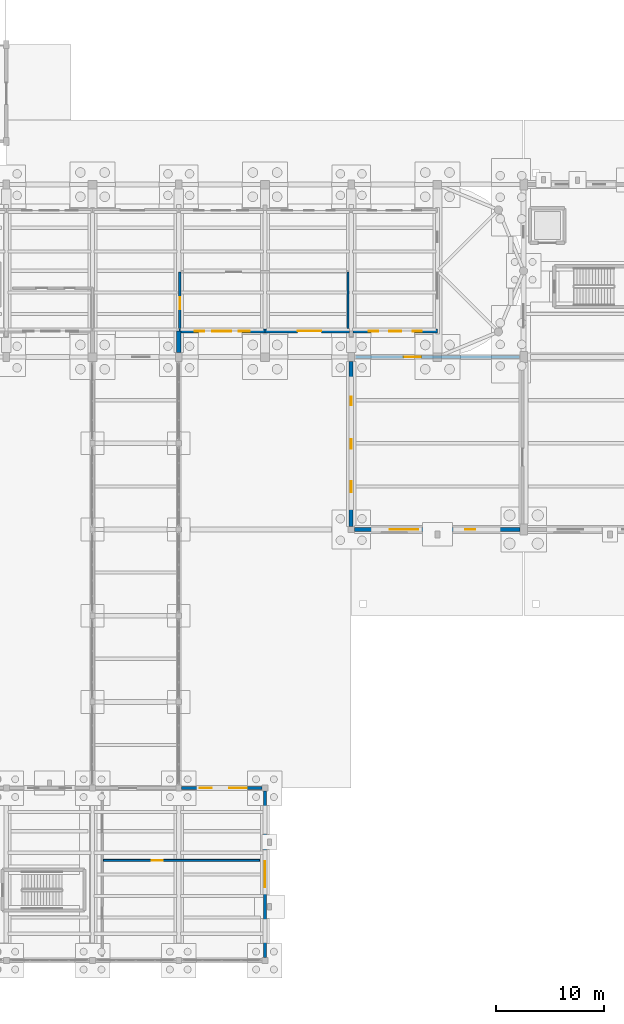
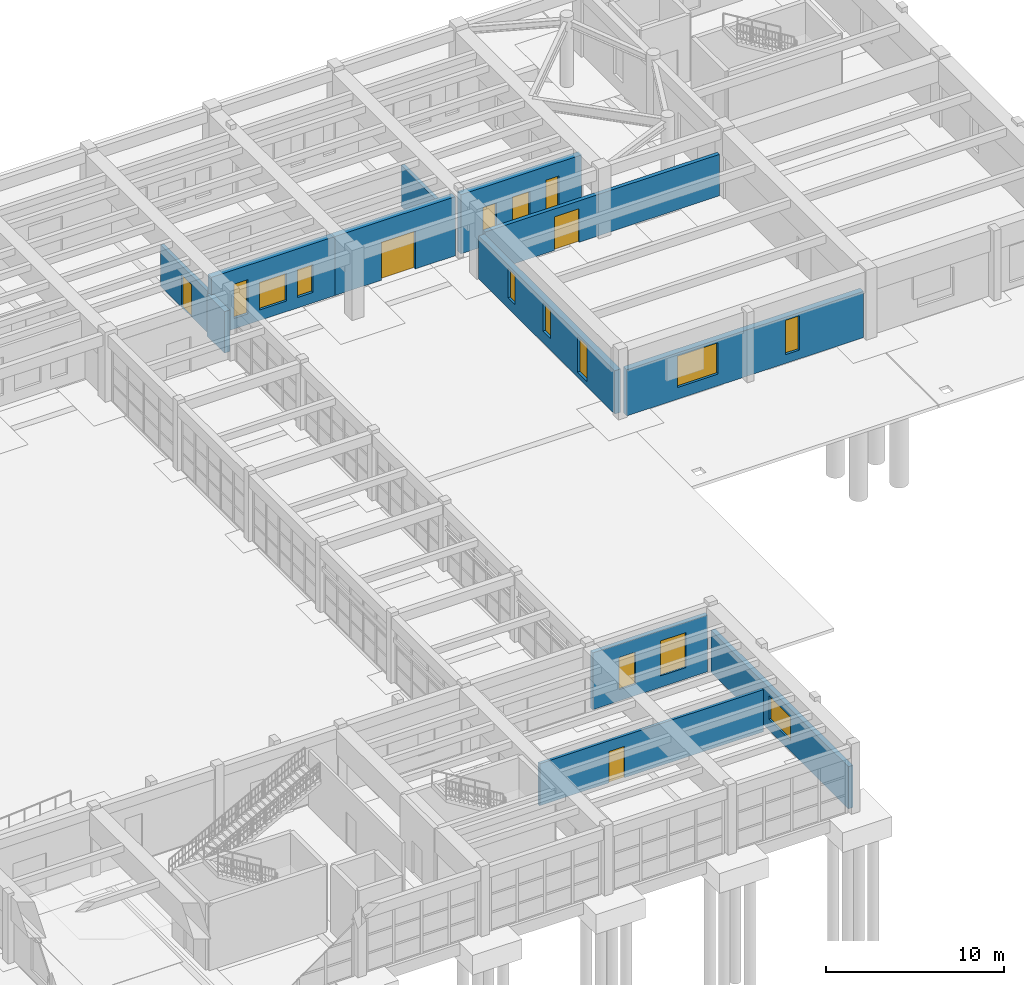
# One storey, part 52 of 68: 14 windows, 12 walls, 4 doors, 18 openings.
"""IFC4 building model written with IfcOpenShell, lengths in metres."""

from ifc_helpers import new_model, si_unit, direction, frame, frame_2d, origin, place, context, subcontext, project, spatial, rectangle, extrude, material, layer, layer_set, type_object, element, fill, save


model = new_model("IFC4")

# Units and contexts
model_context = context("Model", 3, precision=1e-05, world=origin(), true_north=direction((0.0, 1.0)))
body_context = subcontext(model_context, "Body", "Model", "MODEL_VIEW")
ifc_project = project(units=[si_unit("LENGTHUNIT", "METRE"), si_unit("AREAUNIT", "SQUARE_METRE"), si_unit("VOLUMEUNIT", "CUBIC_METRE"), si_unit("PLANEANGLEUNIT", "RADIAN"), si_unit("MASSUNIT", "GRAM", prefix="KILO")], contexts=[model_context])

# Site, building, storey
site_placement = place(None, origin())
site = spatial("IfcSite", under=ifc_project, at=site_placement, CompositionType="ELEMENT")
building_placement = place(site_placement, origin())
building = spatial("IfcBuilding", under=site, at=building_placement, Name="Serraluz Foothill Cableway Terminal", CompositionType="ELEMENT")
storey_placement = place(building_placement, origin())
storey = spatial("IfcBuildingStorey", under=building, at=storey_placement, Name="L00", CompositionType="ELEMENT", Elevation=0.0)

# Wall, openings, windows
ifc_material_1 = material(Name="Fired clay masonry brick (f'm 12 MPa)", Category="masonry")
ifc_layer_1 = layer(ifc_material_1, 0.280029296875, Name="Fired clay masonry brick (f'm 12 MPa)", Category="masonry")
ifc_layer_set_1 = layer_set([ifc_layer_1], Name="Fired clay masonry brick (f'm 12 MPa)")
wall_type_1 = type_object("IfcWallType", Name="TYP-WL-EXT-280", PredefinedType="STANDARD", material=ifc_layer_set_1)
wall_1_placement = place(storey_placement, frame((128.27490234375, 16.0, 0.0), z_axis=(0.0, 0.0, 1.0), x_axis=(1.0, 0.0, 0.0)))
wall_1 = element("IfcWall", 1, at=wall_1_placement, inside=storey, type_object=wall_type_1, Name="Exterior Masonry Wall EW-V3N-L00-128", PredefinedType="STANDARD", context=body_context, shape_type="SweptSolid", body=[
    extrude(rectangle(XDim=7.4501953125, YDim=0.280029296875, at=frame_2d((3.72509765625, 0.0))), origin(), (0.0, 0.0, 1.0), 3.889892578125),
])
opening_1_placement = place(wall_1_placement, frame((1.68505859375, 0.0, 0.780029296875)))
opening_1 = element("IfcOpeningElement", 2, at=opening_1_placement, cuts=wall_1, Name="Opening W-04", PredefinedType="OPENING", context=body_context, shape_type="SweptSolid", body=[
    extrude(rectangle(XDim=1.10009765625, YDim=2.199951171875, at=frame_2d((0.550048828125, 1.10009765625))), frame((0.0, 0.14990234375, 0.0), z_axis=(0.0, -1.0, 0.0), x_axis=(1.0, 0.0, 0.0)), (0.0, 0.0, 1.0), 0.300048828125),
])
opening_2_placement = place(wall_1_placement, frame((4.389892578125, 0.0, 0.780029296875)))
opening_2 = element("IfcOpeningElement", 3, at=opening_2_placement, cuts=wall_1, Name="Opening W-08", PredefinedType="OPENING", context=body_context, shape_type="SweptSolid", body=[
    extrude(rectangle(XDim=1.64990234375, YDim=2.39990234375, at=frame_2d((0.824951171875, 1.199951171875))), frame((0.0, 0.14990234375, 0.0), z_axis=(0.0, -1.0, 0.0), x_axis=(1.0, 0.0, 0.0)), (0.0, 0.0, 1.0), 0.300048828125),
])
ifc_material_2 = material(Name="Laminated low-E safety glass", Category="glass")
window_type_1 = type_object("IfcWindowType", Name="TYP-WN-110X220", PartitioningType="SINGLE_PANEL", PredefinedType="WINDOW", material=ifc_material_2)
window_1_placement = place(opening_1_placement, origin())
window_1 = element("IfcWindow", 4, at=window_1_placement, inside=storey, type_object=window_type_1, Name="Exterior Window EW-V3N-L00-128-WN1", OverallHeight=2.199951171875, OverallWidth=1.10009765625, PartitioningType="SINGLE_PANEL", PredefinedType="WINDOW", context=body_context, shape_type="SweptSolid", body=[
    extrude(rectangle(XDim=1.10009765625, YDim=2.199951171875, at=frame_2d((0.550048828125, 1.10009765625))), frame((0.0, 0.030029296875, 0.0), z_axis=(0.0, -1.0, 0.0), x_axis=(1.0, 0.0, 0.0)), (0.0, 0.0, 1.0), 0.06005859375),
])
fill(opening_1, window_1)
window_type_2 = type_object("IfcWindowType", Name="TYP-WN-165X240", PartitioningType="DOUBLE_PANEL_VERTICAL", PredefinedType="WINDOW", material=ifc_material_2)
window_2_placement = place(opening_2_placement, origin())
window_2 = element("IfcWindow", 5, at=window_2_placement, inside=storey, type_object=window_type_2, Name="Exterior Window EW-V3N-L00-128-WN2", OverallHeight=2.39990234375, OverallWidth=1.64990234375, PartitioningType="SINGLE_PANEL", PredefinedType="WINDOW", context=body_context, shape_type="SweptSolid", body=[
    extrude(rectangle(XDim=1.64990234375, YDim=2.39990234375, at=frame_2d((0.824951171875, 1.199951171875))), frame((0.0, 0.030029296875, 0.0), z_axis=(0.0, -1.0, 0.0), x_axis=(1.0, 0.0, 0.0)), (0.0, 0.0, 1.0), 0.06005859375),
])
fill(opening_2, window_2)

# Wall, opening, window
ifc_layer_2 = layer(ifc_material_1, 0.300048828125, Name="Fired clay masonry brick (f'm 12 MPa)", Category="masonry")
ifc_layer_set_2 = layer_set([ifc_layer_2], Name="Fired clay masonry brick (f'm 12 MPa)")
wall_type_2 = type_object("IfcWallType", Name="TYP-WL-EXT-300", PredefinedType="STANDARD", material=ifc_layer_set_2)
wall_2_placement = place(storey_placement, frame((136.0, 15.72509765625, 0.0), z_axis=(0.0, 0.0, 1.0), x_axis=(0.0, -1.0, 0.0)))
wall_2 = element("IfcWall", 6, at=wall_2_placement, inside=storey, type_object=wall_type_2, Name="Exterior Masonry Wall EW-V3E-L00", PredefinedType="STANDARD", context=body_context, shape_type="SweptSolid", body=[
    extrude(rectangle(XDim=15.4501953125, YDim=0.300048828125, at=frame_2d((7.72509765625, 0.0))), origin(), (0.0, 0.0, 1.0), 2.889892578125),
])
opening_3_placement = place(wall_2_placement, frame((6.52490234375, 0.0, 0.75)))
opening_3 = element("IfcOpeningElement", 7, at=opening_3_placement, cuts=wall_2, Name="Opening W-13", PredefinedType="OPENING", context=body_context, shape_type="SweptSolid", body=[
    extrude(rectangle(XDim=2.39990234375, YDim=1.60009765625, at=frame_2d((1.199951171875, 0.800048828125))), frame((0.0, 0.16015625, 0.0), z_axis=(0.0, -1.0, 0.0), x_axis=(1.0, 0.0, 0.0)), (0.0, 0.0, 1.0), 0.320068359375),
])
window_type_3 = type_object("IfcWindowType", Name="TYP-WN-240X160", PartitioningType="TRIPLE_PANEL_VERTICAL", PredefinedType="WINDOW", material=ifc_material_2)
window_3_placement = place(opening_3_placement, origin())
window_3 = element("IfcWindow", 8, at=window_3_placement, inside=storey, type_object=window_type_3, Name="Exterior Window EW-V3E-L00-WN2", OverallHeight=1.60009765625, OverallWidth=2.39990234375, PartitioningType="SINGLE_PANEL", PredefinedType="WINDOW", context=body_context, shape_type="SweptSolid", body=[
    extrude(rectangle(XDim=2.39990234375, YDim=1.60009765625, at=frame_2d((1.199951171875, 0.800048828125))), frame((0.0, 0.030029296875, 0.0), z_axis=(0.0, -1.0, 0.0), x_axis=(1.0, 0.0, 0.0)), (0.0, 0.0, 1.0), 0.06005859375),
])
fill(opening_3, window_3)

# Wall
ifc_material_3 = material(Name="Dark clinker clay masonry brick (f'm 14 MPa)", Category="masonry")
ifc_layer_3 = layer(ifc_material_3, 0.3798828125, Name="Dark clinker clay masonry brick (f'm 14 MPa)", Category="masonry")
ifc_layer_set_3 = layer_set([ifc_layer_3], Name="Dark clinker clay masonry brick (f'm 14 MPa)")
wall_type_3 = type_object("IfcWallType", Name="TYP-WL-EXT-380", PredefinedType="STANDARD", material=ifc_layer_set_3)
wall_3_placement = place(storey_placement, frame((128.0, 58.39990234375, 0.0), z_axis=(0.0, 0.0, 1.0), x_axis=(0.0, -1.0, 0.0)))
element("IfcWall", 9, at=wall_3_placement, inside=storey, type_object=wall_type_3, Name="Exterior Masonry Wall EW-V1S-CLE-L00", PredefinedType="STANDARD", context=body_context, shape_type="SweptSolid", body=[
    extrude(rectangle(XDim=1.974853515625, YDim=0.3798828125, at=frame_2d((0.9873046875, 0.0))), origin(), (0.0, 0.0, 1.0), 2.85009765625),
])

# Wall, openings, windows
wall_4_placement = place(storey_placement, frame((136.0, 58.39990234375, 0.0), z_axis=(0.0, 0.0, 1.0), x_axis=(-1.0, 0.0, 0.0)))
wall_4 = element("IfcWall", 10, at=wall_4_placement, inside=storey, type_object=wall_type_3, Name="Exterior Masonry Wall EW-V1S-L00-128", PredefinedType="STANDARD", context=body_context, shape_type="SweptSolid", body=[
    extrude(rectangle(XDim=8.0, YDim=0.3798828125, at=frame_2d((4.0, 0.0))), origin(), (0.0, 0.0, 1.0), 4.050048828125),
])
opening_4_placement = place(wall_4_placement, frame((1.419921875, 0.0, 0.719970703125)))
opening_4 = element("IfcOpeningElement", 11, at=opening_4_placement, cuts=wall_4, Name="Opening W-24", PredefinedType="OPENING", context=body_context, shape_type="SweptSolid", body=[
    extrude(rectangle(XDim=1.0, YDim=1.89990234375, at=frame_2d((0.5, 0.949951171875))), frame((0.0, 0.199951171875, 0.0), z_axis=(0.0, -1.0, 0.0), x_axis=(1.0, 0.0, 0.0)), (0.0, 0.0, 1.0), 0.39990234375),
])
opening_5_placement = place(wall_4_placement, frame((3.1201171875, 0.0, 0.719970703125)))
opening_5 = element("IfcOpeningElement", 12, at=opening_5_placement, cuts=wall_4, Name="Opening W-32", PredefinedType="OPENING", context=body_context, shape_type="SweptSolid", body=[
    extrude(rectangle(XDim=1.760009765625, YDim=1.89990234375, at=frame_2d((0.8798828125, 0.949951171875))), frame((0.0, 0.199951171875, 0.0), z_axis=(0.0, -1.0, 0.0), x_axis=(1.0, 0.0, 0.0)), (0.0, 0.0, 1.0), 0.39990234375),
])
opening_6_placement = place(wall_4_placement, frame((5.6298828125, 0.0, 0.719970703125)))
opening_6 = element("IfcOpeningElement", 13, at=opening_6_placement, cuts=wall_4, Name="Opening W-37", PredefinedType="OPENING", context=body_context, shape_type="SweptSolid", body=[
    extrude(rectangle(XDim=0.89990234375, YDim=2.35009765625, at=frame_2d((0.449951171875, 1.175048828125))), frame((0.0, 0.199951171875, 0.0), z_axis=(0.0, -1.0, 0.0), x_axis=(1.0, 0.0, 0.0)), (0.0, 0.0, 1.0), 0.39990234375),
])
window_type_4 = type_object("IfcWindowType", Name="TYP-WN-090X235", PartitioningType="SINGLE_PANEL", PredefinedType="WINDOW", material=ifc_material_2)
window_4_placement = place(opening_6_placement, origin())
window_4 = element("IfcWindow", 14, at=window_4_placement, inside=storey, type_object=window_type_4, Name="Exterior Window EW-V1S-L00-128-WN3", OverallHeight=2.35009765625, OverallWidth=0.89990234375, PartitioningType="SINGLE_PANEL", PredefinedType="WINDOW", context=body_context, shape_type="SweptSolid", body=[
    extrude(rectangle(XDim=0.89990234375, YDim=2.35009765625, at=frame_2d((0.449951171875, 1.175048828125))), frame((0.0, 0.030029296875, 0.0), z_axis=(0.0, -1.0, 0.0), x_axis=(1.0, 0.0, 0.0)), (0.0, 0.0, 1.0), 0.06005859375),
])
fill(opening_6, window_4)
window_type_5 = type_object("IfcWindowType", Name="TYP-WN-100X190", PartitioningType="SINGLE_PANEL", PredefinedType="WINDOW", material=ifc_material_2)
window_5_placement = place(opening_4_placement, origin())
window_5 = element("IfcWindow", 15, at=window_5_placement, inside=storey, type_object=window_type_5, Name="Exterior Window EW-V1S-L00-128-WN1", OverallHeight=1.89990234375, OverallWidth=1.0, PartitioningType="SINGLE_PANEL", PredefinedType="WINDOW", context=body_context, shape_type="SweptSolid", body=[
    extrude(rectangle(XDim=1.0, YDim=1.89990234375, at=frame_2d((0.5, 0.949951171875))), frame((0.0, 0.030029296875, 0.0), z_axis=(0.0, -1.0, 0.0), x_axis=(1.0, 0.0, 0.0)), (0.0, 0.0, 1.0), 0.06005859375),
])
fill(opening_4, window_5)
window_type_6 = type_object("IfcWindowType", Name="TYP-WN-315X190", PartitioningType="TRIPLE_PANEL_VERTICAL", PredefinedType="WINDOW", material=ifc_material_2)
window_6_placement = place(opening_5_placement, origin())
window_6 = element("IfcWindow", 16, at=window_6_placement, inside=storey, type_object=window_type_6, Name="Exterior Window EW-V1S-L00-128-WN2", OverallHeight=1.89990234375, OverallWidth=1.760009765625, PartitioningType="SINGLE_PANEL", PredefinedType="WINDOW", context=body_context, shape_type="SweptSolid", body=[
    extrude(rectangle(XDim=1.760009765625, YDim=1.89990234375, at=frame_2d((0.8798828125, 0.949951171875))), frame((0.0, 0.030029296875, 0.0), z_axis=(0.0, -1.0, 0.0), x_axis=(1.0, 0.0, 0.0)), (0.0, 0.0, 1.0), 0.06005859375),
])
fill(opening_5, window_6)

# Wall, opening, door
wall_5_placement = place(storey_placement, frame((143.824951171875, 58.39990234375, 0.0), z_axis=(0.0, 0.0, 1.0), x_axis=(-1.0, 0.0, 0.0)))
wall_5 = element("IfcWall", 17, at=wall_5_placement, inside=storey, type_object=wall_type_3, Name="Exterior Masonry Wall EW-V1S-L00-136", PredefinedType="STANDARD", context=body_context, shape_type="SweptSolid", body=[
    extrude(rectangle(XDim=7.824951171875, YDim=0.3798828125, at=frame_2d((3.91259765625, 0.0))), origin(), (0.0, 0.0, 1.0), 4.050048828125),
])
opening_7_placement = place(wall_5_placement, frame((2.60009765625, 0.0, 0.0)))
opening_7 = element("IfcOpeningElement", 18, at=opening_7_placement, cuts=wall_5, Name="Opening DE-02", PredefinedType="OPENING", context=body_context, shape_type="SweptSolid", body=[
    extrude(rectangle(XDim=2.199951171875, YDim=2.60009765625, at=frame_2d((1.10009765625, 1.300048828125))), frame((0.0, 0.199951171875, 0.0), z_axis=(0.0, -1.0, 0.0), x_axis=(1.0, 0.0, 0.0)), (0.0, 0.0, 1.0), 0.39990234375),
])
ifc_material_4 = material(Name="Architectural bronze alloy C28000", Category="aluminium")
door_type_1 = type_object("IfcDoorType", Name="TYP-DR-EX-2200", OperationType="DOUBLE_DOOR_SINGLE_SWING", PredefinedType="DOOR", material=ifc_material_4)
door_1_placement = place(opening_7_placement, origin())
door_1 = element("IfcDoor", 19, at=door_1_placement, inside=storey, type_object=door_type_1, Name="Main pedestrian exit door D-EX06", OperationType="DOUBLE_DOOR_SINGLE_SWING", OverallHeight=2.60009765625, OverallWidth=2.199951171875, PredefinedType="DOOR", context=body_context, shape_type="SweptSolid", body=[
    extrude(rectangle(XDim=2.199951171875, YDim=2.60009765625, at=frame_2d((1.10009765625, 1.300048828125))), frame((0.0, 0.02490234375, 0.0), z_axis=(0.0, -1.0, 0.0), x_axis=(1.0, 0.0, 0.0)), (0.0, 0.0, 1.0), 0.050048828125),
])
fill(opening_7, door_1)

# Wall, openings, windows
wall_6_placement = place(storey_placement, frame((152.0, 58.39990234375, 0.0), z_axis=(0.0, 0.0, 1.0), x_axis=(-1.0, 0.0, 0.0)))
wall_6 = element("IfcWall", 20, at=wall_6_placement, inside=storey, type_object=wall_type_3, Name="Exterior Masonry Wall EW-V1S-L00-144", PredefinedType="STANDARD", context=body_context, shape_type="SweptSolid", body=[
    extrude(rectangle(XDim=7.824951171875, YDim=0.3798828125, at=frame_2d((3.91259765625, 0.0))), origin(), (0.0, 0.0, 1.0), 4.050048828125),
])
opening_8_placement = place(wall_6_placement, frame((1.452880859375, 0.0, 0.719970703125)))
opening_8 = element("IfcOpeningElement", 21, at=opening_8_placement, cuts=wall_6, Name="Opening W-02", PredefinedType="OPENING", context=body_context, shape_type="SweptSolid", body=[
    extrude(rectangle(XDim=0.85009765625, YDim=2.39990234375, at=frame_2d((0.425048828125, 1.199951171875))), frame((0.0, 0.199951171875, 0.0), z_axis=(0.0, -1.0, 0.0), x_axis=(1.0, 0.0, 0.0)), (0.0, 0.0, 1.0), 0.39990234375),
])
opening_9_placement = place(wall_6_placement, frame((3.33740234375, 0.0, 0.719970703125)))
opening_9 = element("IfcOpeningElement", 22, at=opening_9_placement, cuts=wall_6, Name="Opening W-39", PredefinedType="OPENING", context=body_context, shape_type="SweptSolid", body=[
    extrude(rectangle(XDim=1.14990234375, YDim=2.0, at=frame_2d((0.574951171875, 1.0))), frame((0.0, 0.199951171875, 0.0), z_axis=(0.0, -1.0, 0.0), x_axis=(1.0, 0.0, 0.0)), (0.0, 0.0, 1.0), 0.39990234375),
])
opening_10_placement = place(wall_6_placement, frame((5.507080078125, 0.0, 0.719970703125)))
opening_10 = element("IfcOpeningElement", 23, at=opening_10_placement, cuts=wall_6, Name="Opening W-48", PredefinedType="OPENING", context=body_context, shape_type="SweptSolid", body=[
    extrude(rectangle(XDim=0.8798828125, YDim=1.949951171875, at=frame_2d((0.43994140625, 0.97509765625))), frame((0.0, 0.199951171875, 0.0), z_axis=(0.0, -1.0, 0.0), x_axis=(1.0, 0.0, 0.0)), (0.0, 0.0, 1.0), 0.39990234375),
])
window_type_7 = type_object("IfcWindowType", Name="TYP-WN-085X240", PartitioningType="SINGLE_PANEL", PredefinedType="WINDOW", material=ifc_material_2)
window_7_placement = place(opening_8_placement, origin())
window_7 = element("IfcWindow", 24, at=window_7_placement, inside=storey, type_object=window_type_7, Name="Exterior Window EW-V1S-L00-144-WN1", OverallHeight=2.39990234375, OverallWidth=0.85009765625, PartitioningType="SINGLE_PANEL", PredefinedType="WINDOW", context=body_context, shape_type="SweptSolid", body=[
    extrude(rectangle(XDim=0.85009765625, YDim=2.39990234375, at=frame_2d((0.425048828125, 1.199951171875))), frame((0.0, 0.030029296875, 0.0), z_axis=(0.0, -1.0, 0.0), x_axis=(1.0, 0.0, 0.0)), (0.0, 0.0, 1.0), 0.06005859375),
])
fill(opening_8, window_7)
window_type_8 = type_object("IfcWindowType", Name="TYP-WN-088X195", PartitioningType="SINGLE_PANEL", PredefinedType="WINDOW", material=ifc_material_2)
window_8_placement = place(opening_10_placement, origin())
window_8 = element("IfcWindow", 25, at=window_8_placement, inside=storey, type_object=window_type_8, Name="Exterior Window EW-V1S-L00-144-WN3", OverallHeight=1.949951171875, OverallWidth=0.8798828125, PartitioningType="SINGLE_PANEL", PredefinedType="WINDOW", context=body_context, shape_type="SweptSolid", body=[
    extrude(rectangle(XDim=0.8798828125, YDim=1.949951171875, at=frame_2d((0.43994140625, 0.97509765625))), frame((0.0, 0.030029296875, 0.0), z_axis=(0.0, -1.0, 0.0), x_axis=(1.0, 0.0, 0.0)), (0.0, 0.0, 1.0), 0.06005859375),
])
fill(opening_10, window_8)
window_type_9 = type_object("IfcWindowType", Name="TYP-WN-115X200", PartitioningType="SINGLE_PANEL", PredefinedType="WINDOW", material=ifc_material_2)
window_9_placement = place(opening_9_placement, origin())
window_9 = element("IfcWindow", 26, at=window_9_placement, inside=storey, type_object=window_type_9, Name="Exterior Window EW-V1S-L00-144-WN2", OverallHeight=2.0, OverallWidth=1.14990234375, PartitioningType="SINGLE_PANEL", PredefinedType="WINDOW", context=body_context, shape_type="SweptSolid", body=[
    extrude(rectangle(XDim=1.14990234375, YDim=2.0, at=frame_2d((0.574951171875, 1.0))), frame((0.0, 0.030029296875, 0.0), z_axis=(0.0, -1.0, 0.0), x_axis=(1.0, 0.0, 0.0)), (0.0, 0.0, 1.0), 0.06005859375),
])
fill(opening_9, window_9)

wall_7_placement = place(storey_placement, frame((159.64990234375, 40.0, 0.0), z_axis=(0.0, 0.0, 1.0), x_axis=(-1.0, 0.0, 0.0)))
wall_7 = element("IfcWall", 27, at=wall_7_placement, inside=storey, type_object=wall_type_3, Name="Exterior Masonry Wall EW-V2-L00-02", PredefinedType="STANDARD", context=body_context, shape_type="SweptSolid", body=[
    extrude(rectangle(XDim=15.349853515625, YDim=0.3798828125, at=frame_2d((7.6748046875, 0.0))), origin(), (0.0, 0.0, 1.0), 3.169921875),
])
opening_11_placement = place(wall_7_placement, frame((4.155029296875, 0.0, 0.60009765625)))
opening_11 = element("IfcOpeningElement", 28, at=opening_11_placement, cuts=wall_7, Name="Opening W-37", PredefinedType="OPENING", context=body_context, shape_type="SweptSolid", body=[
    extrude(rectangle(XDim=0.89990234375, YDim=2.35009765625, at=frame_2d((0.449951171875, 1.175048828125))), frame((0.0, 0.199951171875, 0.0), z_axis=(0.0, -1.0, 0.0), x_axis=(1.0, 0.0, 0.0)), (0.0, 0.0, 1.0), 0.39990234375),
])
opening_12_placement = place(wall_7_placement, frame((9.419921875, 0.0, 0.800048828125)))
opening_12 = element("IfcOpeningElement", 29, at=opening_12_placement, cuts=wall_7, Name="Opening W-47", PredefinedType="OPENING", context=body_context, shape_type="SweptSolid", body=[
    extrude(rectangle(XDim=2.64990234375, YDim=2.14990234375, at=frame_2d((1.324951171875, 1.074951171875))), frame((0.0, 0.199951171875, 0.0), z_axis=(0.0, -1.0, 0.0), x_axis=(1.0, 0.0, 0.0)), (0.0, 0.0, 1.0), 0.39990234375),
])
window_10_placement = place(opening_11_placement, origin())
window_10 = element("IfcWindow", 30, at=window_10_placement, inside=storey, type_object=window_type_4, Name="Exterior Window EW-V2-L00-02-WN1", OverallHeight=2.35009765625, OverallWidth=0.89990234375, PartitioningType="SINGLE_PANEL", PredefinedType="WINDOW", context=body_context, shape_type="SweptSolid", body=[
    extrude(rectangle(XDim=0.89990234375, YDim=2.35009765625, at=frame_2d((0.449951171875, 1.175048828125))), frame((0.0, 0.030029296875, 0.0), z_axis=(0.0, -1.0, 0.0), x_axis=(1.0, 0.0, 0.0)), (0.0, 0.0, 1.0), 0.06005859375),
])
fill(opening_11, window_10)
window_type_10 = type_object("IfcWindowType", Name="TYP-WN-265X215", PartitioningType="TRIPLE_PANEL_VERTICAL", PredefinedType="WINDOW", material=ifc_material_2)
window_11_placement = place(opening_12_placement, origin())
window_11 = element("IfcWindow", 31, at=window_11_placement, inside=storey, type_object=window_type_10, Name="Exterior Window EW-V2-L00-02-WN2", OverallHeight=2.14990234375, OverallWidth=2.64990234375, PartitioningType="SINGLE_PANEL", PredefinedType="WINDOW", context=body_context, shape_type="SweptSolid", body=[
    extrude(rectangle(XDim=2.64990234375, YDim=2.14990234375, at=frame_2d((1.324951171875, 1.074951171875))), frame((0.0, 0.030029296875, 0.0), z_axis=(0.0, -1.0, 0.0), x_axis=(1.0, 0.0, 0.0)), (0.0, 0.0, 1.0), 0.06005859375),
])
fill(opening_12, window_11)

wall_8_placement = place(storey_placement, frame((144.0, 40.300048828125, 0.0), z_axis=(0.0, 0.0, 1.0), x_axis=(0.0, 1.0, 0.0)))
wall_8 = element("IfcWall", 32, at=wall_8_placement, inside=storey, type_object=wall_type_3, Name="Exterior Masonry Wall EW-V2-L00-03", PredefinedType="STANDARD", context=body_context, shape_type="SweptSolid", body=[
    extrude(rectangle(XDim=15.27490234375, YDim=0.3798828125, at=frame_2d((7.637451171875, 0.0))), origin(), (0.0, 0.0, 1.0), 2.969970703125),
])
opening_13_placement = place(wall_8_placement, frame((3.14111328125, 0.0, 0.35009765625)))
opening_13 = element("IfcOpeningElement", 33, at=opening_13_placement, cuts=wall_8, Name="Opening W-38", PredefinedType="OPENING", context=body_context, shape_type="SweptSolid", body=[
    extrude(rectangle(XDim=1.050048828125, YDim=2.43994140625, at=frame_2d((0.52490234375, 1.219970703125))), frame((0.0, 0.199951171875, 0.0), z_axis=(0.0, -1.0, 0.0), x_axis=(1.0, 0.0, 0.0)), (0.0, 0.0, 1.0), 0.39990234375),
])
opening_14_placement = place(wall_8_placement, frame((7.197509765625, 0.0, 0.800048828125)))
opening_14 = element("IfcOpeningElement", 34, at=opening_14_placement, cuts=wall_8, Name="Opening W-48", PredefinedType="OPENING", context=body_context, shape_type="SweptSolid", body=[
    extrude(rectangle(XDim=0.8798828125, YDim=1.949951171875, at=frame_2d((0.43994140625, 0.97509765625))), frame((0.0, 0.199951171875, 0.0), z_axis=(0.0, -1.0, 0.0), x_axis=(1.0, 0.0, 0.0)), (0.0, 0.0, 1.0), 0.39990234375),
])
opening_15_placement = place(wall_8_placement, frame((11.208984375, 0.0, 0.699951171875)))
opening_15 = element("IfcOpeningElement", 35, at=opening_15_placement, cuts=wall_8, Name="Opening W-36", PredefinedType="OPENING", context=body_context, shape_type="SweptSolid", body=[
    extrude(rectangle(XDim=0.800048828125, YDim=2.050048828125, at=frame_2d((0.39990234375, 1.02490234375))), frame((0.0, 0.199951171875, 0.0), z_axis=(0.0, -1.0, 0.0), x_axis=(1.0, 0.0, 0.0)), (0.0, 0.0, 1.0), 0.39990234375),
])
window_type_11 = type_object("IfcWindowType", Name="TYP-WN-080X205", PartitioningType="SINGLE_PANEL", PredefinedType="WINDOW", material=ifc_material_2)
window_12_placement = place(opening_15_placement, origin())
window_12 = element("IfcWindow", 36, at=window_12_placement, inside=storey, type_object=window_type_11, Name="Exterior Window EW-V2-L00-03-WN3", OverallHeight=2.050048828125, OverallWidth=0.800048828125, PartitioningType="SINGLE_PANEL", PredefinedType="WINDOW", context=body_context, shape_type="SweptSolid", body=[
    extrude(rectangle(XDim=0.800048828125, YDim=2.050048828125, at=frame_2d((0.39990234375, 1.02490234375))), frame((0.0, 0.030029296875, 0.0), z_axis=(0.0, -1.0, 0.0), x_axis=(1.0, 0.0, 0.0)), (0.0, 0.0, 1.0), 0.06005859375),
])
fill(opening_15, window_12)
window_13_placement = place(opening_14_placement, origin())
window_13 = element("IfcWindow", 37, at=window_13_placement, inside=storey, type_object=window_type_8, Name="Exterior Window EW-V2-L00-03-WN2", OverallHeight=1.949951171875, OverallWidth=0.8798828125, PartitioningType="SINGLE_PANEL", PredefinedType="WINDOW", context=body_context, shape_type="SweptSolid", body=[
    extrude(rectangle(XDim=0.8798828125, YDim=1.949951171875, at=frame_2d((0.43994140625, 0.97509765625))), frame((0.0, 0.030029296875, 0.0), z_axis=(0.0, -1.0, 0.0), x_axis=(1.0, 0.0, 0.0)), (0.0, 0.0, 1.0), 0.06005859375),
])
fill(opening_14, window_13)
window_type_12 = type_object("IfcWindowType", Name="TYP-WN-105X250", PartitioningType="SINGLE_PANEL", PredefinedType="WINDOW", material=ifc_material_2)
window_14_placement = place(opening_13_placement, origin())
window_14 = element("IfcWindow", 38, at=window_14_placement, inside=storey, type_object=window_type_12, Name="Exterior Window EW-V2-L00-03-WN1", OverallHeight=2.43994140625, OverallWidth=1.050048828125, PartitioningType="SINGLE_PANEL", PredefinedType="WINDOW", context=body_context, shape_type="SweptSolid", body=[
    extrude(rectangle(XDim=1.050048828125, YDim=2.43994140625, at=frame_2d((0.52490234375, 1.219970703125))), frame((0.0, 0.030029296875, 0.0), z_axis=(0.0, -1.0, 0.0), x_axis=(1.0, 0.0, 0.0)), (0.0, 0.0, 1.0), 0.06005859375),
])
fill(opening_13, window_14)

# Wall, opening, door
ifc_layer_4 = layer(ifc_material_1, 0.179931640625, Name="Fired clay masonry brick (f'm 12 MPa)", Category="masonry")
ifc_layer_set_4 = layer_set([ifc_layer_4], Name="Fired clay masonry brick (f'm 12 MPa)")
wall_type_4 = type_object("IfcWallType", Name="TYP-WL-PRT-180", PredefinedType="PARTITIONING", material=ifc_layer_set_4)
wall_9_placement = place(storey_placement, frame((121.0, 9.300048828125, 0.0), z_axis=(0.0, 0.0, 1.0), x_axis=(1.0, 0.0, 0.0)))
wall_9 = element("IfcWall", 39, at=wall_9_placement, inside=storey, type_object=wall_type_4, Name="Interior Partition PT-L00-10", PredefinedType="PARTITIONING", context=body_context, shape_type="SweptSolid", body=[
    extrude(rectangle(XDim=14.5, YDim=0.179931640625, at=frame_2d((7.25, 0.0))), origin(), (0.0, 0.0, 1.0), 2.882080078125),
])
opening_16_placement = place(wall_9_placement, frame((4.5, 0.0, 0.0)))
opening_16 = element("IfcOpeningElement", 40, at=opening_16_placement, cuts=wall_9, Name="Opening DF-02", PredefinedType="OPENING", context=body_context, shape_type="SweptSolid", body=[
    extrude(rectangle(XDim=1.0, YDim=2.14990234375, at=frame_2d((0.5, 1.074951171875))), frame((0.0, 0.10009765625, 0.0), z_axis=(0.0, -1.0, 0.0), x_axis=(1.0, 0.0, 0.0)), (0.0, 0.0, 1.0), 0.199951171875),
])
ifc_material_5 = material(Name="Galvanized hollow-metal steel sheet", Category="steel")
door_type_2 = type_object("IfcDoorType", Name="TYP-DR-FD30-1000", OperationType="NOTDEFINED", PredefinedType="DOOR", material=ifc_material_5)
door_2_placement = place(opening_16_placement, origin())
door_2 = element("IfcDoor", 41, at=door_2_placement, inside=storey, type_object=door_type_2, Name="Interior Door PT-L00-10-DR1", OperationType="SINGLE_SWING_LEFT", OverallHeight=2.14990234375, OverallWidth=1.0, PredefinedType="DOOR", context=body_context, shape_type="SweptSolid", body=[
    extrude(rectangle(XDim=1.0, YDim=2.14990234375, at=frame_2d((0.5, 1.074951171875))), frame((0.0, 0.02490234375, 0.0), z_axis=(0.0, -1.0, 0.0), x_axis=(1.0, 0.0, 0.0)), (0.0, 0.0, 1.0), 0.050048828125),
])
fill(opening_16, door_2)

ifc_material_6 = material(Name="Concrete C28/35 (f'c 28 MPa)", Category="concrete")
ifc_layer_5 = layer(ifc_material_6, 0.219970703125, Name="Concrete C28/35 (f'c 28 MPa)", Category="concrete")
ifc_layer_set_5 = layer_set([ifc_layer_5], Name="Concrete C28/35 (f'c 28 MPa)")
wall_type_5 = type_object("IfcWallType", Name="TYP-WL-PRT-220", PredefinedType="PARTITIONING", material=ifc_layer_set_5)
wall_10_placement = place(storey_placement, frame((128.10009765625, 58.64990234375, 0.0), z_axis=(0.0, 0.0, 1.0), x_axis=(0.0, 1.0, 0.0)))
wall_10 = element("IfcWall", 42, at=wall_10_placement, inside=storey, type_object=wall_type_5, Name="Interior Partition PT-L00-05", PredefinedType="PARTITIONING", context=body_context, shape_type="SweptSolid", body=[
    extrude(rectangle(XDim=5.25, YDim=0.219970703125, at=frame_2d((2.625, 0.0))), origin(), (0.0, 0.0, 1.0), 2.842041015625),
])
opening_17_placement = place(wall_10_placement, frame((1.800048828125, 0.0, 0.0)))
opening_17 = element("IfcOpeningElement", 43, at=opening_17_placement, cuts=wall_10, Name="Opening DF-07", PredefinedType="OPENING", context=body_context, shape_type="SweptSolid", body=[
    extrude(rectangle(XDim=1.10009765625, YDim=2.199951171875, at=frame_2d((0.550048828125, 1.10009765625))), frame((0.0, 0.1201171875, 0.0), z_axis=(0.0, -1.0, 0.0), x_axis=(1.0, 0.0, 0.0)), (0.0, 0.0, 1.0), 0.239990234375),
])
door_type_3 = type_object("IfcDoorType", Name="TYP-DR-FD60-1100", OperationType="NOTDEFINED", PredefinedType="DOOR", material=ifc_material_5)
door_3_placement = place(opening_17_placement, origin())
door_3 = element("IfcDoor", 44, at=door_3_placement, inside=storey, type_object=door_type_3, Name="Interior Door PT-L00-05-DR1", OperationType="SINGLE_SWING_LEFT", OverallHeight=2.199951171875, OverallWidth=1.10009765625, PredefinedType="DOOR", context=body_context, shape_type="SweptSolid", body=[
    extrude(rectangle(XDim=1.10009765625, YDim=2.199951171875, at=frame_2d((0.550048828125, 1.10009765625))), frame((0.0, 0.02490234375, 0.0), z_axis=(0.0, -1.0, 0.0), x_axis=(1.0, 0.0, 0.0)), (0.0, 0.0, 1.0), 0.050048828125),
])
fill(opening_17, door_3)

# Wall
wall_11_placement = place(storey_placement, frame((143.699951171875, 58.64990234375, 0.0), z_axis=(0.0, 0.0, 1.0), x_axis=(0.0, 1.0, 0.0)))
element("IfcWall", 45, at=wall_11_placement, inside=storey, type_object=wall_type_5, Name="Interior Partition PT-L00-06E", PredefinedType="PARTITIONING", context=body_context, shape_type="SweptSolid", body=[
    extrude(rectangle(XDim=5.25, YDim=0.219970703125, at=frame_2d((2.625, 0.0))), origin(), (0.0, 0.0, 1.0), 2.842041015625),
])

# Wall, opening, door
ifc_material_7 = material(Name="Concrete C35/45 (f'c 35 MPa)", Category="concrete")
ifc_layer_6 = layer(ifc_material_7, 0.25, Name="Concrete C35/45 (f'c 35 MPa)", Category="concrete")
ifc_layer_set_6 = layer_set([ifc_layer_6], Name="Concrete C35/45 (f'c 35 MPa)")
wall_type_6 = type_object("IfcWallType", Name="TYP-WL-PRT-250", PredefinedType="PARTITIONING", material=ifc_layer_set_6)
wall_12_placement = place(storey_placement, frame((144.39990234375, 56.0, 0.0), z_axis=(0.0, 0.0, 1.0), x_axis=(1.0, 0.0, 0.0)))
wall_12 = element("IfcWall", 46, at=wall_12_placement, inside=storey, type_object=wall_type_6, Name="Interior Partition PT-L00-08N", PredefinedType="PARTITIONING", context=body_context, shape_type="SweptSolid", body=[
    extrude(rectangle(XDim=15.2001953125, YDim=0.25, at=frame_2d((7.60009765625, 0.0))), origin(), (0.0, 0.0, 1.0), 2.842041015625),
])
opening_18_placement = place(wall_12_placement, frame((4.5, 0.0, 0.0)))
opening_18 = element("IfcOpeningElement", 47, at=opening_18_placement, cuts=wall_12, Name="Opening DF-10", PredefinedType="OPENING", context=body_context, shape_type="SweptSolid", body=[
    extrude(rectangle(XDim=1.60009765625, YDim=2.300048828125, at=frame_2d((0.800048828125, 1.14990234375))), frame((0.0, 0.135009765625, 0.0), z_axis=(0.0, -1.0, 0.0), x_axis=(1.0, 0.0, 0.0)), (0.0, 0.0, 1.0), 0.27001953125),
])
door_type_4 = type_object("IfcDoorType", Name="TYP-DR-FD60-1600", OperationType="DOUBLE_DOOR_SINGLE_SWING", PredefinedType="DOOR", material=ifc_material_5)
door_4_placement = place(opening_18_placement, origin())
door_4 = element("IfcDoor", 48, at=door_4_placement, inside=storey, type_object=door_type_4, Name="Interior Door PT-L00-08N-DR1", OperationType="DOUBLE_DOOR_SINGLE_SWING", OverallHeight=2.300048828125, OverallWidth=1.60009765625, PredefinedType="DOOR", context=body_context, shape_type="SweptSolid", body=[
    extrude(rectangle(XDim=1.60009765625, YDim=2.300048828125, at=frame_2d((0.800048828125, 1.14990234375))), frame((0.0, 0.02490234375, 0.0), z_axis=(0.0, -1.0, 0.0), x_axis=(1.0, 0.0, 0.0)), (0.0, 0.0, 1.0), 0.050048828125),
])
fill(opening_18, door_4)

save(model, "model.ifc")
